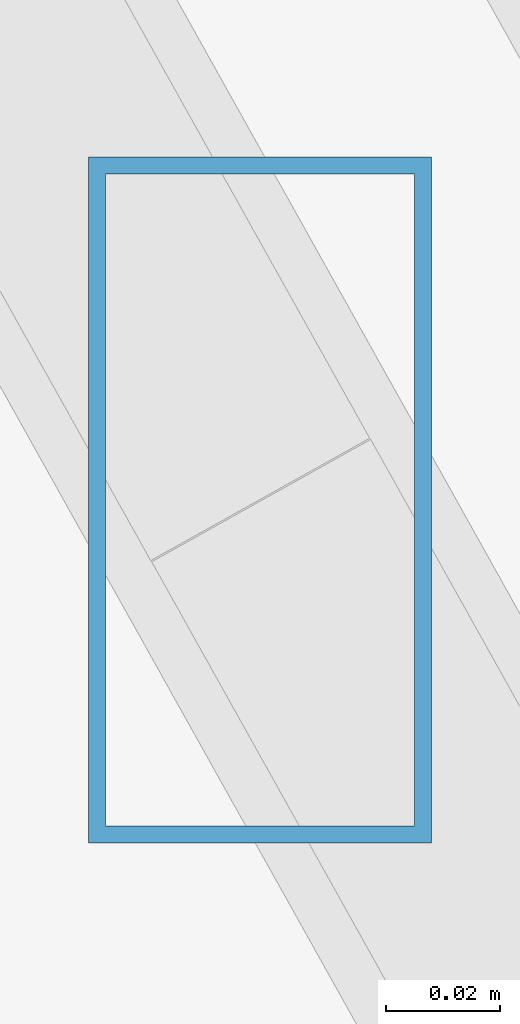
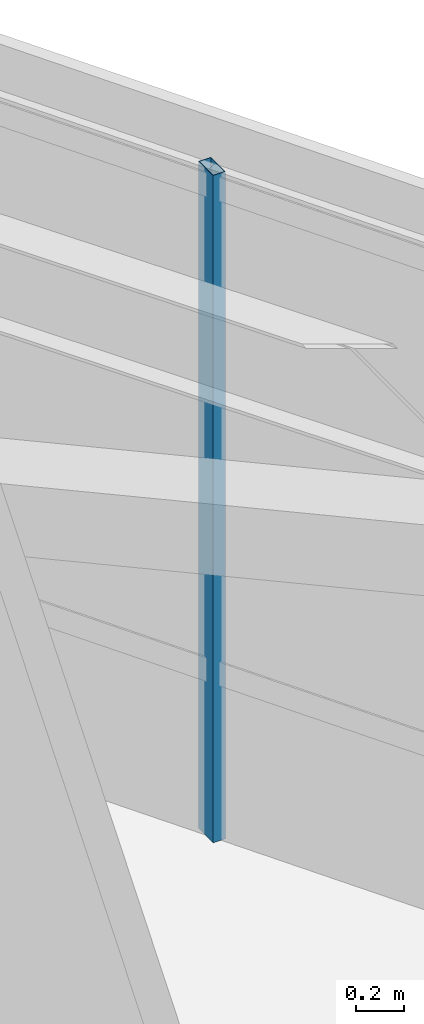
# One storey, part 27 of 48: 1 member, 1 element without a shape of its own.
"""IFC4 building model written with IfcOpenShell, lengths in metres."""

import ifcopenshell
import ifcopenshell.guid

model = None  # the IFC model being written
_history = None  # IfcOwnerHistory: only IFC2X3 demands one
_inside = {}  # id of a spatial element -> (the spatial element, [elements in it])
_under = {}  # id of a project, library or spatial element -> (it, [spatial elements below it])
_declared = {}  # id of a project -> (the project, [libraries it declares])
_typed = {}  # id of a type object -> (the type object, [elements of that type])
_made_of = {}  # id of a material, layer set ... -> (it, [elements and type objects made of it])


def new_model(schema):
    """Start an empty IFC model of exactly this schema.

    Asked for "IFC4X3", IfcOpenShell would pick the latest addendum, in which some entities
    have other attributes; the version numbers below select the first issue.
    IFC2X3 requires an IfcOwnerHistory on every rooted entity: one is made here for all.
    """
    global model, _history
    if schema == "IFC4X3":
        model = ifcopenshell.file(schema_version=(4, 3, 0, 0))
    else:
        model = ifcopenshell.file(schema=schema)
    _inside.clear()
    _under.clear()
    _declared.clear()
    _typed.clear()
    _made_of.clear()
    _history = None
    if model.schema == "IFC2X3":
        org = make("IfcOrganization", Name="unknown")
        user = make(
            "IfcPersonAndOrganization",
            ThePerson=make("IfcPerson", FamilyName="unknown"),
            TheOrganization=org,
        )
        app = make(
            "IfcApplication",
            ApplicationDeveloper=org,
            Version="unknown",
            ApplicationFullName="unknown",
            ApplicationIdentifier="unknown",
        )
        _history = make(
            "IfcOwnerHistory",
            OwningUser=user,
            OwningApplication=app,
            ChangeAction="ADDED",
            CreationDate=0,
        )
    return model


def make(cls, **values):
    """One entity of the class cls with the attributes given. An attribute that is None is left unset."""
    return model.create_entity(
        cls, **{name: value for name, value in values.items() if value is not None}
    )


def rooted(cls, **values):
    """An entity with a GlobalId (a new one), such as an element, a storey or a relation."""
    return make(cls, GlobalId=ifcopenshell.guid.new(), OwnerHistory=_history, **values)


def si_unit(unit_type, name, prefix=None):
    """IfcSIUnit, for example si_unit("LENGTHUNIT", "METRE", prefix="MILLI")."""
    return make("IfcSIUnit", UnitType=unit_type, Prefix=prefix, Name=name)


def assignment(units):
    """IfcUnitAssignment: the units of a project."""
    return None if units is None else make("IfcUnitAssignment", Units=units)


def point(xyz):
    """IfcCartesianPoint."""
    return None if xyz is None else make("IfcCartesianPoint", Coordinates=xyz)


def direction(xyz):
    """IfcDirection."""
    return None if xyz is None else make("IfcDirection", DirectionRatios=xyz)


def frame(location, z_axis=None, x_axis=None):
    """IfcAxis2Placement3D, a coordinate frame: its origin and axes. An axis left out is left unset."""
    return make(
        "IfcAxis2Placement3D",
        Location=point(location),
        Axis=direction(z_axis),
        RefDirection=direction(x_axis),
    )


def frame_2d(location, x_axis=None):
    """IfcAxis2Placement2D, a coordinate frame in the plane: its origin and x axis."""
    return make(
        "IfcAxis2Placement2D", Location=point(location), RefDirection=direction(x_axis)
    )


def origin():
    """The frame at (0, 0, 0) with its axes left unset."""
    return frame((0.0, 0.0, 0.0))


def origin_2d():
    """The frame at (0, 0) in the plane with its x axis left unset."""
    return frame_2d((0.0, 0.0))


def place(relative_to, where):
    """IfcLocalPlacement: puts the frame where relative to a parent placement (None: the world)."""
    return make(
        "IfcLocalPlacement", PlacementRelTo=relative_to, RelativePlacement=where
    )


def context(
    kind, dimensions, precision=None, world=None, true_north=None, identifier=None
):
    """IfcGeometricRepresentationContext, for example the 3D "Model" context."""
    return make(
        "IfcGeometricRepresentationContext",
        ContextIdentifier=identifier,
        ContextType=kind,
        CoordinateSpaceDimension=dimensions,
        Precision=precision,
        WorldCoordinateSystem=world,
        TrueNorth=true_north,
    )


def subcontext(parent, identifier, kind, view, scale=None):
    """IfcGeometricRepresentationSubContext, for example "Body" below "Model"."""
    return make(
        "IfcGeometricRepresentationSubContext",
        ContextIdentifier=identifier,
        ContextType=kind,
        ParentContext=parent,
        TargetScale=scale,
        TargetView=view,
    )


def project(units=None, contexts=None):
    """IfcProject with its units and contexts."""
    return rooted(
        "IfcProject",
        Name="project",
        RepresentationContexts=contexts,
        UnitsInContext=assignment(units),
    )


def spatial(cls, under=None, at=None, **own):
    """A site, building, storey or space (cls), placed at a placement, below another one or the project."""
    s = rooted(cls, ObjectPlacement=at, **own)
    if under is not None:
        _under.setdefault(under.id(), (under, []))[1].append(s)
    return s


def profile(cls, at=None, kind="AREA", **sizes):
    """A parametric profile (cls). Its sizes go by their IFC names, for example OverallWidth=200.0."""
    return make(cls, ProfileType=kind, Position=at, **sizes)


def hollow_rectangle(**sizes):
    """IfcRectangleHollowProfileDef."""
    return profile("IfcRectangleHollowProfileDef", **sizes)


def extrude(swept, where, along, depth):
    """IfcExtrudedAreaSolid: the profile swept, set in the frame where, extruded along a direction by depth."""
    return make(
        "IfcExtrudedAreaSolid",
        SweptArea=swept,
        Position=where,
        ExtrudedDirection=direction(along),
        Depth=depth,
    )


def shape(context_of_items, identifier, shape_type, items):
    """IfcShapeRepresentation: the items that make up one representation, for example the "Body"."""
    return make(
        "IfcShapeRepresentation",
        ContextOfItems=context_of_items,
        RepresentationIdentifier=identifier,
        RepresentationType=shape_type,
        Items=items,
    )


def source(mapping_origin, context_of_items, identifier, shape_type, items):
    """IfcRepresentationMap: a shape defined once, which mapped items show again and again."""
    return make(
        "IfcRepresentationMap",
        MappingOrigin=mapping_origin,
        MappedRepresentation=shape(context_of_items, identifier, shape_type, items),
    )


def transform(
    local_origin,
    x_axis=None,
    y_axis=None,
    z_axis=None,
    scale=None,
    scale2=None,
    scale3=None,
    uniform=True,
):
    """IfcCartesianTransformationOperator3D, or its non-uniform kind. x_axis, y_axis, z_axis: its Axis1, 2, 3."""
    if uniform:
        return make(
            "IfcCartesianTransformationOperator3D",
            Axis1=direction(x_axis),
            Axis2=direction(y_axis),
            LocalOrigin=point(local_origin),
            Scale=scale,
            Axis3=direction(z_axis),
        )
    return make(
        "IfcCartesianTransformationOperator3DnonUniform",
        Axis1=direction(x_axis),
        Axis2=direction(y_axis),
        LocalOrigin=point(local_origin),
        Scale=scale,
        Axis3=direction(z_axis),
        Scale2=scale2,
        Scale3=scale3,
    )


def mapped(mapping_source, mapping_target):
    """IfcMappedItem: shows the shape of a source again, moved by a transform."""
    return make(
        "IfcMappedItem", MappingSource=mapping_source, MappingTarget=mapping_target
    )


def material(Name=None, Category=None):
    """IfcMaterial."""
    return make("IfcMaterial", Name=Name, Category=Category)


def material_profile(
    of_material, cross_section, Name=None, Category=None, Priority=None
):
    """IfcMaterialProfile: a cross section and its material."""
    return make(
        "IfcMaterialProfile",
        Name=Name,
        Material=of_material,
        Profile=cross_section,
        Priority=Priority,
        Category=Category,
    )


def profile_set(profiles, Name=None, composite=None):
    """IfcMaterialProfileSet."""
    return make(
        "IfcMaterialProfileSet",
        Name=Name,
        MaterialProfiles=profiles,
        CompositeProfile=composite,
    )


def made_of(thing, what):
    """Note that an element or type object is made of a material, layer set ...; save() writes the relation."""
    if what is not None:
        _made_of.setdefault(what.id(), (what, []))[1].append(thing)
    return thing


def type_object(cls, material=None, **own):
    """A type object (cls), such as IfcWallType, which elements share."""
    return made_of(rooted(cls, **own), material)


def type_shapes(of_type, sources):
    """Give a type object the sources (RepresentationMaps) that its elements show as mapped items."""
    of_type.RepresentationMaps = sources


def element(
    cls,
    number,
    at=None,
    inside=None,
    cuts=None,
    type_object=None,
    material=None,
    context=None,
    identifier="Body",
    shape_type=None,
    held_by="IfcProductDefinitionShape",
    body=None,
    shapes=None,
    **own,
):
    """One element of the class cls, such as IfcWall. Its Tag is "e" and its number.

    at: its placement. inside: the storey or other place that contains it. cuts: it is an
    opening in that element (IfcRelVoidsElement). A single representation is given by context,
    identifier, shape_type and body (its items); several are given by shapes. held_by: the class
    of the entity that holds the representations. save() writes the other relations.
    """
    e = rooted(cls, Tag="e%d" % number, ObjectPlacement=at, **own)
    if body is not None:
        shapes = [shape(context, identifier, shape_type, body)]
    if shapes is not None:
        e.Representation = make(held_by, Representations=shapes)
    if inside is not None:
        _inside.setdefault(inside.id(), (inside, []))[1].append(e)
    if cuts is not None:
        rooted(
            "IfcRelVoidsElement", RelatingBuildingElement=cuts, RelatedOpeningElement=e
        )
    if type_object is not None:
        _typed.setdefault(type_object.id(), (type_object, []))[1].append(e)
    return made_of(e, material)


def aggregate(whole, parts):
    """IfcRelAggregates: a whole, such as a stair, and the parts it consists of."""
    return rooted("IfcRelAggregates", RelatingObject=whole, RelatedObjects=parts)


def save(model, path):
    """Write the relations noted so far, then the file.

    IfcRelAggregates (storeys below a building ...), IfcRelContainedInSpatialStructure (elements
    in a storey), IfcRelDefinesByType, IfcRelAssociatesMaterial and IfcRelDeclares: one each for
    every whole, place, type object, material and project.
    """
    for whole, parts in _under.values():
        aggregate(whole, parts)
    for where, things in _inside.values():
        rooted(
            "IfcRelContainedInSpatialStructure",
            RelatedElements=things,
            RelatingStructure=where,
        )
    for kind, things in _typed.values():
        rooted("IfcRelDefinesByType", RelatedObjects=things, RelatingType=kind)
    for what, things in _made_of.values():
        rooted("IfcRelAssociatesMaterial", RelatedObjects=things, RelatingMaterial=what)
    for by, libraries in _declared.values():
        rooted("IfcRelDeclares", RelatingContext=by, RelatedDefinitions=libraries)
    model.write(path)


model = new_model("IFC4")

# Units and contexts
model_context = context("Model", 3, precision=1e-05, world=origin(), true_north=direction((0.0, 1.0)))
body_context = subcontext(model_context, "Body", "Model", "MODEL_VIEW")
ifc_project = project(units=[si_unit("LENGTHUNIT", "METRE"), si_unit("AREAUNIT", "SQUARE_METRE"), si_unit("VOLUMEUNIT", "CUBIC_METRE"), si_unit("PLANEANGLEUNIT", "RADIAN"), si_unit("MASSUNIT", "GRAM", prefix="KILO")], contexts=[model_context])

# Site, building, storey
site_placement = place(None, origin())
site = spatial("IfcSite", under=ifc_project, at=site_placement, CompositionType="ELEMENT")
building_placement = place(site_placement, origin())
building = spatial("IfcBuilding", under=site, at=building_placement, Name="Caelisora Broadcast Tower", CompositionType="ELEMENT")
storey_placement = place(building_placement, frame((0.0, 0.0, 270.0)))
storey = spatial("IfcBuildingStorey", under=building, at=storey_placement, Name="L71", CompositionType="ELEMENT", Elevation=270.0)

# Curtain wall, member
ifc_material_1 = material(Name="Unitised Aluminium Insulated Shadow-Box Spandrel Curtain Wall", Category="aluminium")
curtain_wall_type = type_object("IfcCurtainWallType", Name="CW-SP3", PredefinedType="NOTDEFINED", material=ifc_material_1)
curtain_wall_placement = place(storey_placement, origin())
curtain_wall = element("IfcCurtainWall", 1, at=curtain_wall_placement, inside=storey, type_object=curtain_wall_type, Name="L71 curtain wall CW-SP3", PredefinedType="NOTDEFINED")
ifc_material_2 = material(Name="Aluminium 6063-T6 Anodised Terracotta Bronze", Category="aluminium")
ifc_material_profile = material_profile(ifc_material_2, hollow_rectangle(XDim=0.06005859375, YDim=0.1201171875, WallThickness=0.0029296875, at=origin_2d()), Name="Aluminium 6063-T6 Anodised Terracotta Bronze")
ifc_profile_set = profile_set([ifc_material_profile], Name="Aluminium 6063-T6 Anodised Terracotta Bronze")
member_type = type_object("IfcMemberType", Name="CWM-04", PredefinedType="MULLION", material=ifc_profile_set)
shared_shape = source(origin(), body_context, "Body", "SweptSolid", [
    extrude(hollow_rectangle(XDim=0.06005859375, YDim=0.1201171875, WallThickness=0.0029296875, at=origin_2d()), origin(), (0.0, 0.0, 1.0), 3.39990234375),
])
type_shapes(member_type, [shared_shape])
member_placement = place(storey_placement, frame((52.24267578125, 29.656494140625, 0.0), z_axis=(0.0, 0.0, 1.0), x_axis=(1.0, 0.0, 0.0)))
member = element("IfcMember", 2, at=member_placement, type_object=member_type, Name="L71-CW-B02 mullion #2", PredefinedType="MULLION", context=body_context, shape_type="MappedRepresentation", body=[
    mapped(shared_shape, transform((0.0, 0.0, 0.0), scale=1.0)),
])
aggregate(curtain_wall, [member])

save(model, "model.ifc")
